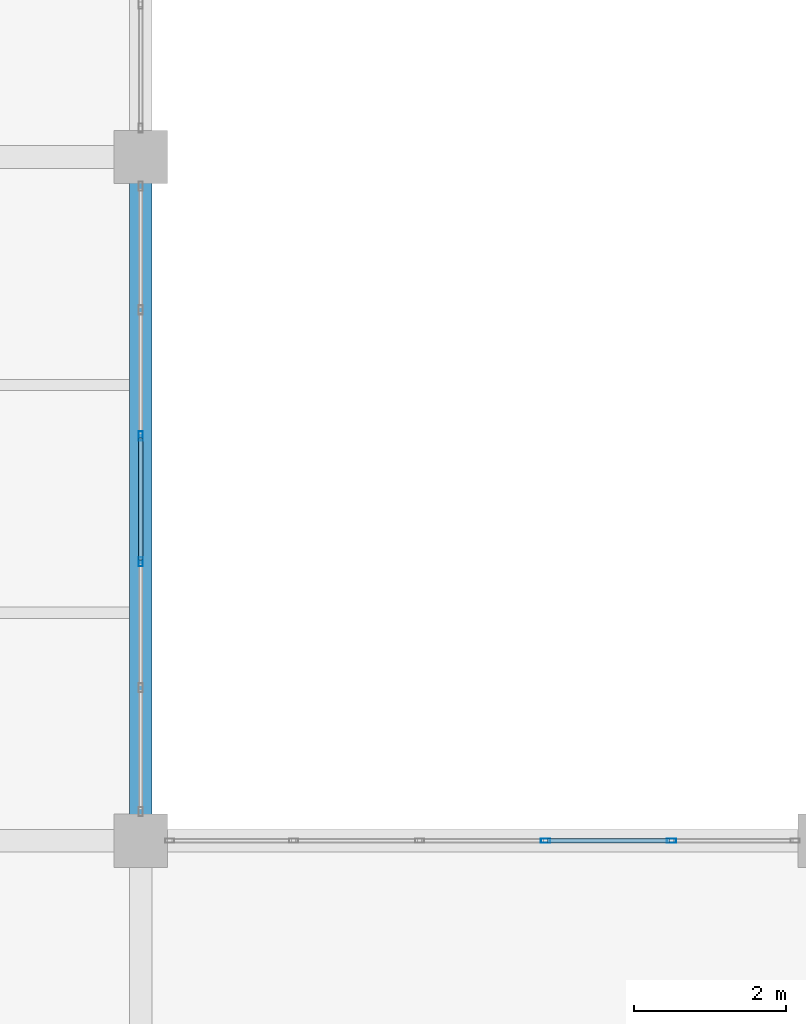
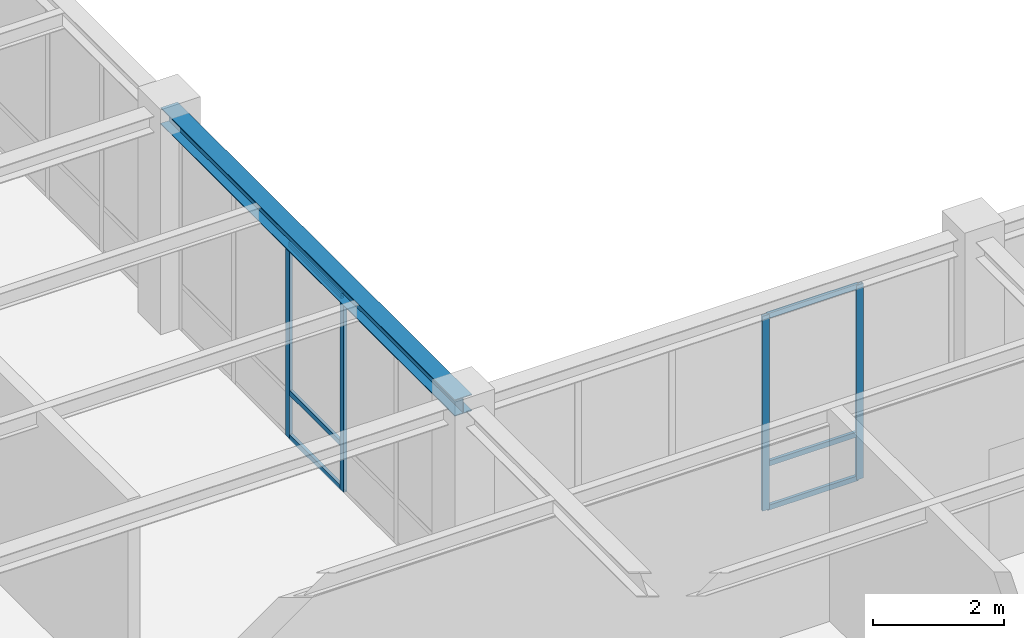
# One storey, part 51 of 108: 10 members, 1 beam, 2 elements without a shape of their own.
"""IFC4 building model written with IfcOpenShell, lengths in metres."""

from ifc_helpers import new_model, si_unit, direction, frame, origin, origin_2d, place, context, subcontext, project, spatial, hollow_rectangle, i_section, extrude, material, material_profile, profile_set, type_object, element, aggregate, save


model = new_model("IFC4")

# Units and contexts
model_context = context("Model", 3, precision=1e-05, world=origin(), true_north=direction((0.0, 1.0)))
body_context = subcontext(model_context, "Body", "Model", "MODEL_VIEW")
ifc_project = project(units=[si_unit("LENGTHUNIT", "METRE"), si_unit("AREAUNIT", "SQUARE_METRE"), si_unit("VOLUMEUNIT", "CUBIC_METRE"), si_unit("PLANEANGLEUNIT", "RADIAN"), si_unit("MASSUNIT", "GRAM", prefix="KILO")], contexts=[model_context])

# Site, building, storey
site_placement = place(None, origin())
site = spatial("IfcSite", under=ifc_project, at=site_placement, CompositionType="ELEMENT")
building_placement = place(site_placement, origin())
building = spatial("IfcBuilding", under=site, at=building_placement, Name="Lykobir Media Centre", CompositionType="ELEMENT")
storey_placement = place(building_placement, frame((0.0, 0.0, 15.0)))
storey = spatial("IfcBuildingStorey", under=building, at=storey_placement, Name="L03", CompositionType="ELEMENT", Elevation=15.0)

# Beam
ifc_material_1 = material(Name="Steel S355", Category="steel")
ifc_material_profile_1 = material_profile(ifc_material_1, i_section(OverallWidth=0.300048828125, OverallDepth=0.31005859375, WebThickness=0.009033203125, FlangeThickness=0.015380859375, at=origin_2d()), Name="HEA 320")
ifc_profile_set_1 = profile_set([ifc_material_profile_1], Name="Steel S355")
beam_type = type_object("IfcBeamType", Name="BM-HEA320", PredefinedType="BEAM", material=ifc_profile_set_1)
beam_placement = place(storey_placement, frame((99.0, 18.0, 3.804931640625), z_axis=(0.0, 1.0, 0.0), x_axis=(-1.0, 0.0, 0.0)))
element("IfcBeam", 1, at=beam_placement, inside=storey, type_object=beam_type, Name="Beam BM-L03-0990-0180-0990-0270-1880", PredefinedType="BEAM", context=body_context, shape_type="SweptSolid", body=[
    extrude(i_section(OverallWidth=0.300048828125, OverallDepth=0.31005859375, WebThickness=0.009033203125, FlangeThickness=0.015380859375, at=origin_2d()), origin(), (0.0, 0.0, 1.0), 9.0),
])

# Curtain wall, members
ifc_material_2 = material(Name="Anodized Aluminium AW-6060", Category="aluminium")
curtain_wall_type = type_object("IfcCurtainWallType", Name="CW-COURT-B", PredefinedType="NOTDEFINED", material=ifc_material_2)
curtain_wall_1_placement = place(storey_placement, origin())
curtain_wall_1 = element("IfcCurtainWall", 2, at=curtain_wall_1_placement, inside=storey, type_object=curtain_wall_type, Name="Curtain wall CW2-L03-0137", PredefinedType="NOTDEFINED")
ifc_material_profile_2 = material_profile(ifc_material_2, hollow_rectangle(XDim=0.054931640625, YDim=0.1201171875, WallThickness=0.003173828125, at=origin_2d()), Name="ALU MULLION 55x120")
ifc_profile_set_2 = profile_set([ifc_material_profile_2], Name="Anodized Aluminium AW-6060")
member_type_1 = type_object("IfcMemberType", Name="CWM-120", PredefinedType="MULLION", material=ifc_profile_set_2)
member_1_placement = place(storey_placement, frame((104.3291015625, 18.0, 0.0), z_axis=(0.0, 0.0, 1.0), x_axis=(0.0, 1.0, 0.0)))
member_1 = element("IfcMember", 3, at=member_1_placement, type_object=member_type_1, Name="CW2-L03-0137 mullion 4", PredefinedType="MULLION", context=body_context, shape_type="SweptSolid", body=[
    extrude(hollow_rectangle(XDim=0.054931640625, YDim=0.1201171875, WallThickness=0.003173828125, at=origin_2d()), origin(), (0.0, 0.0, 1.0), 3.635009765625),
])
member_2_placement = place(storey_placement, frame((105.987060546875, 18.0, 0.0), z_axis=(0.0, 0.0, 1.0), x_axis=(0.0, 1.0, 0.0)))
member_2 = element("IfcMember", 4, at=member_2_placement, type_object=member_type_1, Name="CW2-L03-0137 mullion 5", PredefinedType="MULLION", context=body_context, shape_type="SweptSolid", body=[
    extrude(hollow_rectangle(XDim=0.054931640625, YDim=0.1201171875, WallThickness=0.003173828125, at=origin_2d()), origin(), (0.0, 0.0, 1.0), 3.635009765625),
])

curtain_wall_2_placement = place(storey_placement, origin())
curtain_wall_2 = element("IfcCurtainWall", 5, at=curtain_wall_2_placement, inside=storey, type_object=curtain_wall_type, Name="Curtain wall CW2-L03-0140", PredefinedType="NOTDEFINED")
member_3_placement = place(storey_placement, frame((99.0, 23.3291015625, 0.0), z_axis=(0.0, 0.0, 1.0), x_axis=(1.0, 0.0, 0.0)))
member_3 = element("IfcMember", 6, at=member_3_placement, type_object=member_type_1, Name="CW2-L03-0140 mullion 3", PredefinedType="MULLION", context=body_context, shape_type="SweptSolid", body=[
    extrude(hollow_rectangle(XDim=0.054931640625, YDim=0.1201171875, WallThickness=0.003173828125, at=origin_2d()), origin(), (0.0, 0.0, 1.0), 3.635009765625),
])
member_4_placement = place(storey_placement, frame((99.0, 21.6708984375, 0.0), z_axis=(0.0, 0.0, 1.0), x_axis=(1.0, 0.0, 0.0)))
member_4 = element("IfcMember", 7, at=member_4_placement, type_object=member_type_1, Name="CW2-L03-0140 mullion 4", PredefinedType="MULLION", context=body_context, shape_type="SweptSolid", body=[
    extrude(hollow_rectangle(XDim=0.054931640625, YDim=0.1201171875, WallThickness=0.003173828125, at=origin_2d()), origin(), (0.0, 0.0, 1.0), 3.635009765625),
])

# Member
ifc_material_profile_3 = material_profile(ifc_material_2, hollow_rectangle(XDim=0.054931640625, YDim=0.094970703125, WallThickness=0.0029296875, at=origin_2d()), Name="ALU TRANSOM 55x95")
ifc_profile_set_3 = profile_set([ifc_material_profile_3], Name="Anodized Aluminium AW-6060")
member_type_2 = type_object("IfcMemberType", Name="CWT-095", PredefinedType="USERDEFINED", material=ifc_profile_set_3)
member_5_placement = place(storey_placement, frame((104.3564453125, 18.0, 0.027587890625), z_axis=(1.0, 0.0, 0.0), x_axis=(0.0, 1.0, 0.0)))
member_5 = element("IfcMember", 8, at=member_5_placement, type_object=member_type_2, Name="CW2-L03-0137 transom 4.1", ObjectType="TRANSOM", PredefinedType="USERDEFINED", context=body_context, shape_type="SweptSolid", body=[
    extrude(hollow_rectangle(XDim=0.054931640625, YDim=0.094970703125, WallThickness=0.0029296875, at=origin_2d()), origin(), (0.0, 0.0, 1.0), 1.60302734375),
])

member_6_placement = place(storey_placement, frame((104.3564453125, 18.0, 0.85009765625), z_axis=(1.0, 0.0, 0.0), x_axis=(0.0, 1.0, 0.0)))
member_6 = element("IfcMember", 9, at=member_6_placement, type_object=member_type_2, Name="CW2-L03-0137 transom 4.2", ObjectType="TRANSOM", PredefinedType="USERDEFINED", context=body_context, shape_type="SweptSolid", body=[
    extrude(hollow_rectangle(XDim=0.054931640625, YDim=0.094970703125, WallThickness=0.0029296875, at=origin_2d()), origin(), (0.0, 0.0, 1.0), 1.60302734375),
])

member_7_placement = place(storey_placement, frame((104.3564453125, 18.0, 3.607421875), z_axis=(1.0, 0.0, 0.0), x_axis=(0.0, 1.0, 0.0)))
member_7 = element("IfcMember", 10, at=member_7_placement, type_object=member_type_2, Name="CW2-L03-0137 transom 4.3", ObjectType="TRANSOM", PredefinedType="USERDEFINED", context=body_context, shape_type="SweptSolid", body=[
    extrude(hollow_rectangle(XDim=0.054931640625, YDim=0.094970703125, WallThickness=0.0029296875, at=origin_2d()), origin(), (0.0, 0.0, 1.0), 1.60302734375),
])

aggregate(curtain_wall_1, [member_1, member_2, member_5, member_6, member_7])

member_8_placement = place(storey_placement, frame((99.0, 23.301513671875, 0.027587890625), z_axis=(0.0, -1.0, 0.0), x_axis=(1.0, 0.0, 0.0)))
member_8 = element("IfcMember", 11, at=member_8_placement, type_object=member_type_2, Name="CW2-L03-0140 transom 3.1", ObjectType="TRANSOM", PredefinedType="USERDEFINED", context=body_context, shape_type="SweptSolid", body=[
    extrude(hollow_rectangle(XDim=0.054931640625, YDim=0.094970703125, WallThickness=0.0029296875, at=origin_2d()), origin(), (0.0, 0.0, 1.0), 1.60302734375),
])

member_9_placement = place(storey_placement, frame((99.0, 23.301513671875, 0.85009765625), z_axis=(0.0, -1.0, 0.0), x_axis=(1.0, 0.0, 0.0)))
member_9 = element("IfcMember", 12, at=member_9_placement, type_object=member_type_2, Name="CW2-L03-0140 transom 3.2", ObjectType="TRANSOM", PredefinedType="USERDEFINED", context=body_context, shape_type="SweptSolid", body=[
    extrude(hollow_rectangle(XDim=0.054931640625, YDim=0.094970703125, WallThickness=0.0029296875, at=origin_2d()), origin(), (0.0, 0.0, 1.0), 1.60302734375),
])

member_10_placement = place(storey_placement, frame((99.0, 23.301513671875, 3.607421875), z_axis=(0.0, -1.0, 0.0), x_axis=(1.0, 0.0, 0.0)))
member_10 = element("IfcMember", 13, at=member_10_placement, type_object=member_type_2, Name="CW2-L03-0140 transom 3.3", ObjectType="TRANSOM", PredefinedType="USERDEFINED", context=body_context, shape_type="SweptSolid", body=[
    extrude(hollow_rectangle(XDim=0.054931640625, YDim=0.094970703125, WallThickness=0.0029296875, at=origin_2d()), origin(), (0.0, 0.0, 1.0), 1.60302734375),
])

aggregate(curtain_wall_2, [member_3, member_4, member_8, member_9, member_10])

save(model, "model.ifc")
